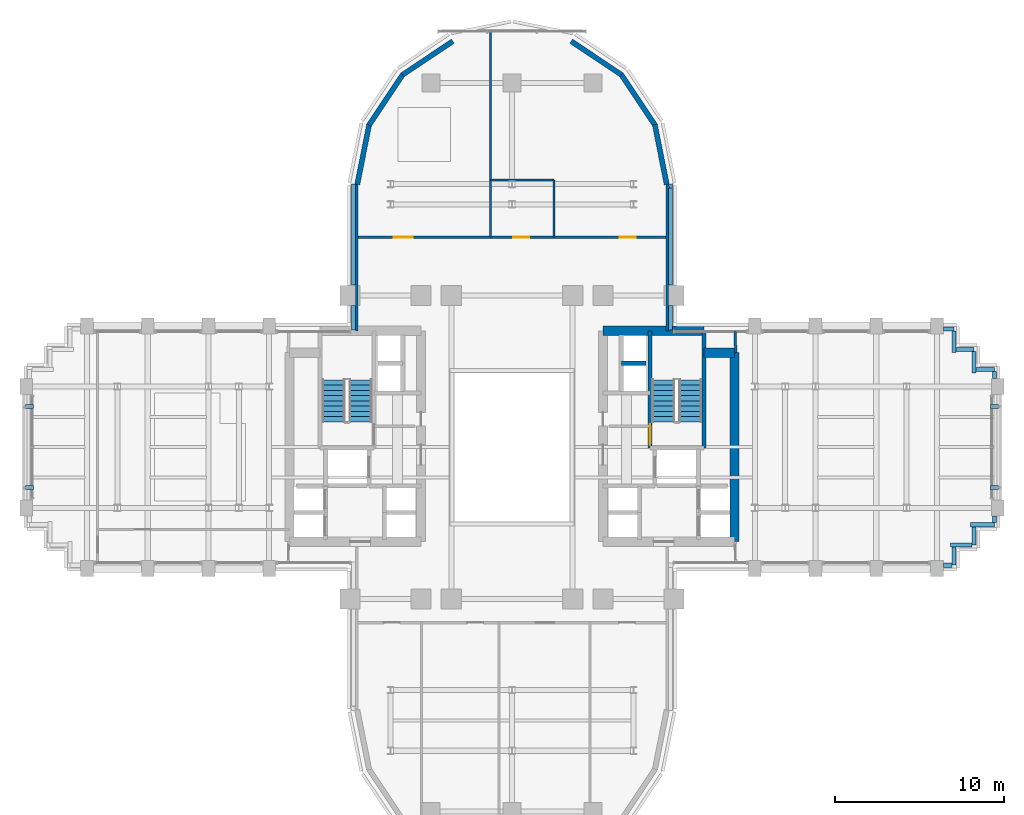
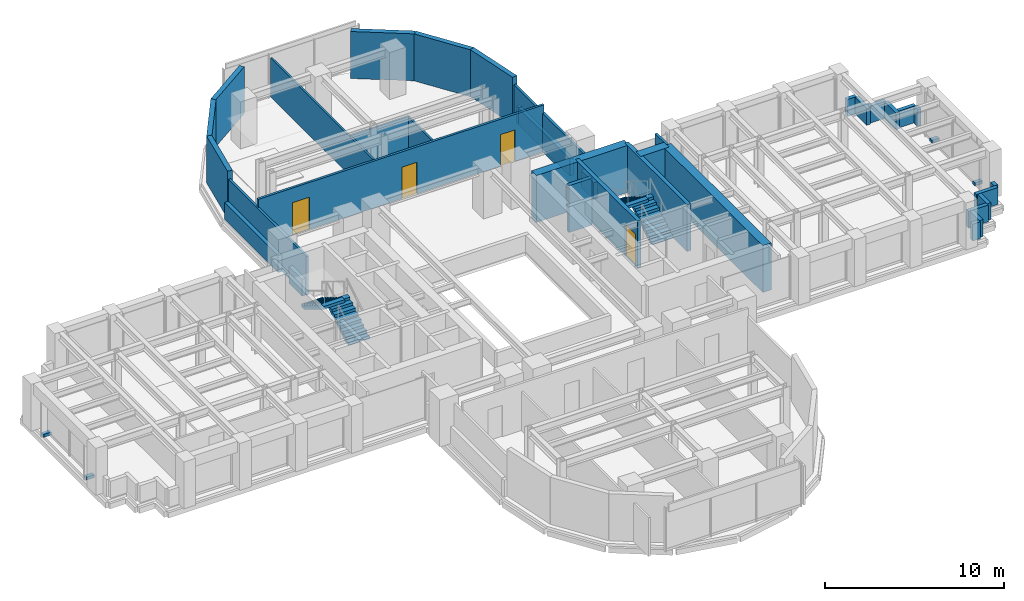
# One storey, part 12 of 16: 36 walls, 4 discrete accessories, 4 doors, 4 stair flights, 4 openings, 2 elements without a shape of their own.
"""IFC4 building model written with IfcOpenShell, lengths in metres."""

from ifc_helpers import new_model, si_unit, direction, frame, frame_2d, origin, origin_2d, place, context, subcontext, project, spatial, polyline, rectangle, outline, extrude, source, transform, mapped, material, layer, layer_set, type_object, element, fill, aggregate, save


model = new_model("IFC4")

# Units and contexts
model_context = context("Model", 3, precision=1e-05, world=origin(), true_north=direction((0.0, 1.0)))
body_context = subcontext(model_context, "Body", "Model", "MODEL_VIEW")
ifc_project = project(units=[si_unit("LENGTHUNIT", "METRE"), si_unit("AREAUNIT", "SQUARE_METRE"), si_unit("VOLUMEUNIT", "CUBIC_METRE"), si_unit("PLANEANGLEUNIT", "RADIAN"), si_unit("MASSUNIT", "GRAM", prefix="KILO")], contexts=[model_context])

# Site, building, storey
site_placement = place(None, origin())
site = spatial("IfcSite", under=ifc_project, at=site_placement, CompositionType="ELEMENT")
building_placement = place(site_placement, origin())
building = spatial("IfcBuilding", under=site, at=building_placement, Name="Keilestroom Media Tower", CompositionType="ELEMENT")
storey_placement = place(building_placement, frame((0.0, 0.0, 71.39990234375)))
storey = spatial("IfcBuildingStorey", under=building, at=storey_placement, Name="L18", CompositionType="ELEMENT", Elevation=71.39990234375)

# Walls
ifc_material_1 = material(Name="Precast concrete C40/50", Category="concrete")
ifc_layer_1 = layer(ifc_material_1, 0.300048828125)
ifc_layer_set_1 = layer_set([ifc_layer_1], Name="Precast concrete C40/50")
wall_type_1 = type_object("IfcWallType", Name="Exterior-Masonry-Spandrel-Wall-300", PredefinedType="SOLIDWALL", material=ifc_layer_set_1)
for number, where, z_axis, x_axis, name in (
    (1, (9.1748046875, 15.585205078125, 0.0), (0.0, 0.0, 1.0), (-0.195114232679, 0.980780523974, 0.0), "L18 Lobe Facet Precast Frame Wall 01"),
    (2, (8.48193359375, 19.097412109375, 0.0), (0.0, 0.0, 1.0), (-0.555574187116, 0.831466970246, 0.0), "L18 Lobe Facet Precast Frame Wall 02"),
):
    element("IfcWall", number, at=place(storey_placement, frame(where, z_axis=z_axis, x_axis=x_axis)), inside=storey, type_object=wall_type_1, Name=name, PredefinedType="SOLIDWALL", context=body_context, shape_type="SweptSolid", body=[
        extrude(rectangle(XDim=3.608642578125, YDim=0.300048828125, at=frame_2d((1.80419921875, 0.0))), origin(), (0.0, 0.0, 1.0), 3.2001953125),
    ])
for number, where, z_axis, x_axis, name in (
    (3, (6.497802734375, 22.0771484375, 0.0), (0.0, 0.0, 1.0), (-0.8314749531, 0.555562239868, 0.0), "L18 Lobe Facet Precast Frame Wall 03"),
    (4, (-3.510009765625, 24.073486328125, 0.0), (0.0, 0.0, 1.0), (-0.8314749531, -0.555562239868, 0.0), "L18 Lobe Facet Precast Frame Wall 04"),
):
    element("IfcWall", number, at=place(storey_placement, frame(where, z_axis=z_axis, x_axis=x_axis)), inside=storey, type_object=wall_type_1, Name=name, PredefinedType="SOLIDWALL", context=body_context, shape_type="SweptSolid", body=[
        extrude(rectangle(XDim=3.59326171875, YDim=0.300048828125, at=frame_2d((1.796630859375, 0.0))), origin(), (0.0, 0.0, 1.0), 3.2001953125),
    ])
for number, where, z_axis, x_axis, name in (
    (5, (-6.47705078125, 22.097900390625, 0.0), (0.0, 0.0, 1.0), (-0.555574187116, -0.831466970246, 0.0), "L18 Lobe Facet Precast Frame Wall 05"),
    (6, (-8.470703125, 19.12451171875, 0.0), (0.0, 0.0, 1.0), (-0.195114232679, -0.980780523974, 0.0), "L18 Lobe Facet Precast Frame Wall 06"),
):
    element("IfcWall", number, at=place(storey_placement, frame(where, z_axis=z_axis, x_axis=x_axis)), inside=storey, type_object=wall_type_1, Name=name, PredefinedType="SOLIDWALL", context=body_context, shape_type="SweptSolid", body=[
        extrude(rectangle(XDim=3.608642578125, YDim=0.300048828125, at=frame_2d((1.80419921875, 0.0))), origin(), (0.0, 0.0, 1.0), 3.2001953125),
    ])
ifc_material_2 = material(Name="Gypsum Plasterboard & Steel Stud", Category="steel")
ifc_layer_2 = layer(ifc_material_2, 0.1201171875)
ifc_layer_set_2 = layer_set([ifc_layer_2], Name="Gypsum Plasterboard & Steel Stud")
wall_type_2 = type_object("IfcWallType", Name="Interior-Partition-Wall-120", PredefinedType="PARTITIONING", material=ifc_layer_set_2)
wall_1_placement = place(storey_placement, frame((-1.280029296875, 12.449951171875, 0.0), z_axis=(0.0, 0.0, 1.0), x_axis=(0.0, 1.0, 0.0)))
element("IfcWall", 7, at=wall_1_placement, inside=storey, type_object=wall_type_2, Name="L18 Interior Wall WP-L18-NL-V1", PredefinedType="PARTITIONING", context=body_context, shape_type="SweptSolid", body=[
    extrude(rectangle(XDim=12.199951171875, YDim=0.1201171875, at=frame_2d((6.10009765625, 0.0))), origin(), (0.0, 0.0, 1.0), 2.650146484375),
])
wall_2_placement = place(storey_placement, frame((-1.280029296875, 15.85009765625, 0.0), z_axis=(0.0, 0.0, 1.0), x_axis=(1.0, 0.0, 0.0)))
element("IfcWall", 8, at=wall_2_placement, inside=storey, type_object=wall_type_2, Name="L18 Interior Wall WP-L18-NL-WC-N", PredefinedType="PARTITIONING", context=body_context, shape_type="SweptSolid", body=[
    extrude(rectangle(XDim=3.780029296875, YDim=0.1201171875, at=frame_2d((1.89013671875, 0.0))), origin(), (0.0, 0.0, 1.0), 2.7001953125),
])
wall_3_placement = place(storey_placement, frame((2.5, 12.449951171875, 0.0), z_axis=(0.0, 0.0, 1.0), x_axis=(0.0, 1.0, 0.0)))
element("IfcWall", 9, at=wall_3_placement, inside=storey, type_object=wall_type_2, Name="L18 Interior Wall WP-L18-NL-WC-E", PredefinedType="PARTITIONING", context=body_context, shape_type="SweptSolid", body=[
    extrude(rectangle(XDim=3.400146484375, YDim=0.1201171875, at=frame_2d((1.7001953125, 0.0))), origin(), (0.0, 0.0, 1.0), 2.650146484375),
])

# Wall, openings, doors
ifc_layer_3 = layer(ifc_material_2, 0.14990234375)
ifc_layer_set_3 = layer_set([ifc_layer_3], Name="Gypsum Plasterboard & Steel Stud")
wall_type_3 = type_object("IfcWallType", Name="Interior-Partition-Wall-150", PredefinedType="PARTITIONING", material=ifc_layer_set_3)
wall_4_placement = place(storey_placement, frame((-9.199951171875, 12.449951171875, 0.0), z_axis=(0.0, 0.0, 1.0), x_axis=(1.0, 0.0, 0.0)))
wall_4 = element("IfcWall", 10, at=wall_4_placement, inside=storey, type_object=wall_type_3, Name="L18 Interior Wall WP-L18-NL-BASE", PredefinedType="PARTITIONING", context=body_context, shape_type="SweptSolid", body=[
    extrude(rectangle(XDim=18.39990234375, YDim=0.14990234375, at=frame_2d((9.199951171875, 0.0))), origin(), (0.0, 0.0, 1.0), 3.2001953125),
])
opening_1_placement = place(wall_4_placement, frame((9.27001953125, 0.0, 0.0)))
opening_1 = element("IfcOpeningElement", 11, at=opening_1_placement, cuts=wall_4, Name="Opening DI-03", PredefinedType="OPENING", context=body_context, shape_type="SweptSolid", body=[
    extrude(rectangle(XDim=0.949951171875, YDim=2.14990234375, at=frame_2d((0.47509765625, 1.074951171875))), frame((0.0, 0.0849609375, 0.0), z_axis=(0.0, -1.0, 0.0), x_axis=(1.0, 0.0, 0.0)), (0.0, 0.0, 1.0), 0.169921875),
])
opening_2_placement = place(wall_4_placement, frame((2.199951171875, 0.0, 0.0)))
opening_2 = element("IfcOpeningElement", 12, at=opening_2_placement, cuts=wall_4, Name="Opening DI-04", PredefinedType="OPENING", context=body_context, shape_type="SweptSolid", body=[
    extrude(rectangle(XDim=1.10009765625, YDim=2.199951171875, at=frame_2d((0.550048828125, 1.10009765625))), frame((0.0, 0.0849609375, 0.0), z_axis=(0.0, -1.0, 0.0), x_axis=(1.0, 0.0, 0.0)), (0.0, 0.0, 1.0), 0.169921875),
])
opening_3_placement = place(wall_4_placement, frame((15.60009765625, 0.0, 0.0)))
opening_3 = element("IfcOpeningElement", 13, at=opening_3_placement, cuts=wall_4, Name="Opening DI-03", PredefinedType="OPENING", context=body_context, shape_type="SweptSolid", body=[
    extrude(rectangle(XDim=0.949951171875, YDim=2.14990234375, at=frame_2d((0.47509765625, 1.074951171875))), frame((0.0, 0.0849609375, 0.0), z_axis=(0.0, -1.0, 0.0), x_axis=(1.0, 0.0, 0.0)), (0.0, 0.0, 1.0), 0.169921875),
])
ifc_material_3 = material(Name="Lacquered European Oak Leaf", Category="wood")
door_type_1 = type_object("IfcDoorType", Name="Interior-Room-And-Suite-Door-DI-03", OperationType="NOTDEFINED", PredefinedType="DOOR", material=ifc_material_3)
shared_shape_1 = source(origin(), body_context, "Body", "SweptSolid", [
    extrude(rectangle(XDim=0.949951171875, YDim=2.14990234375, at=frame_2d((0.47509765625, 1.074951171875))), frame((0.0, 0.02490234375, 0.0), z_axis=(0.0, -1.0, 0.0), x_axis=(1.0, 0.0, 0.0)), (0.0, 0.0, 1.0), 0.050048828125),
])
door_1_placement = place(opening_1_placement, origin())
door_1 = element("IfcDoor", 14, at=door_1_placement, inside=storey, type_object=door_type_1, Name="L18 Interior Door DI-L18-DNL-WC", OperationType="SINGLE_SWING_LEFT", OverallHeight=2.14990234375, OverallWidth=0.949951171875, PredefinedType="DOOR", context=body_context, shape_type="MappedRepresentation", body=[
    mapped(shared_shape_1, transform((0.0, 0.0, 0.0), x_axis=(1.0, 0.0, 0.0), y_axis=(0.0, 1.0, 0.0), z_axis=(0.0, 0.0, 1.0), scale=1.0)),
])
fill(opening_1, door_1)
door_2_placement = place(opening_3_placement, origin())
door_2 = element("IfcDoor", 15, at=door_2_placement, inside=storey, type_object=door_type_1, Name="L18 Interior Door DI-L18-DNL-B", OperationType="SINGLE_SWING_LEFT", OverallHeight=2.14990234375, OverallWidth=0.949951171875, PredefinedType="DOOR", context=body_context, shape_type="MappedRepresentation", body=[
    mapped(shared_shape_1, transform((0.0, 0.0, 0.0), x_axis=(1.0, 0.0, 0.0), y_axis=(0.0, 1.0, 0.0), z_axis=(0.0, 0.0, 1.0), scale=1.0)),
])
fill(opening_3, door_2)
ifc_material_4 = material(Name="Acoustic Glazed Aluminium Leaf", Category="aluminium")
door_type_2 = type_object("IfcDoorType", Name="Interior-Room-And-Suite-Door-DI-04", OperationType="NOTDEFINED", PredefinedType="DOOR", material=ifc_material_4)
shared_shape_2 = source(origin(), body_context, "Body", "SweptSolid", [
    extrude(rectangle(XDim=1.10009765625, YDim=2.199951171875, at=frame_2d((0.550048828125, 1.10009765625))), frame((0.0, 0.02490234375, 0.0), z_axis=(0.0, -1.0, 0.0), x_axis=(1.0, 0.0, 0.0)), (0.0, 0.0, 1.0), 0.050048828125),
])
door_3_placement = place(opening_2_placement, origin())
door_3 = element("IfcDoor", 16, at=door_3_placement, inside=storey, type_object=door_type_2, Name="L18 Interior Door DI-L18-DNL-A", OperationType="SINGLE_SWING_RIGHT", OverallHeight=2.199951171875, OverallWidth=1.10009765625, PredefinedType="DOOR", context=body_context, shape_type="MappedRepresentation", body=[
    mapped(shared_shape_2, transform((0.0, 0.0, 0.0), x_axis=(1.0, 0.0, 0.0), y_axis=(0.0, 1.0, 0.0), z_axis=(0.0, 0.0, 1.0), scale=1.0)),
])
fill(opening_2, door_3)

# Walls
for number, where, z_axis, x_axis, name in (
    (17, (-9.199951171875, 6.89990234375, 0.0), (0.0, 0.0, 1.0), (0.0, 1.0, 0.0), "L18 Interior Wall WP-L18-NL-CHKW"),
    (18, (9.199951171875, 6.89990234375, 0.0), (0.0, 0.0, 1.0), (0.0, 1.0, 0.0), "L18 Interior Wall WP-L18-NL-CHKE"),
):
    element("IfcWall", number, at=place(storey_placement, frame(where, z_axis=z_axis, x_axis=x_axis)), inside=storey, type_object=wall_type_3, Name=name, PredefinedType="PARTITIONING", context=body_context, shape_type="SweptSolid", body=[
        extrude(rectangle(XDim=8.780029296875, YDim=0.14990234375, at=frame_2d((4.39013671875, 0.0))), origin(), (0.0, 0.0, 1.0), 2.650146484375),
    ])
wall_5_placement = place(storey_placement, frame((13.260009765625, 5.60009765625, 0.0), z_axis=(0.0, 0.0, 1.0), x_axis=(-0.016013571389, 0.999871774545, 0.0)))
element("IfcWall", 19, at=wall_5_placement, inside=storey, type_object=wall_type_3, Name="L18 Interior Wall WP-L18-EA-ENTN", PredefinedType="PARTITIONING", context=body_context, shape_type="SweptSolid", body=[
    extrude(rectangle(XDim=1.250244140625, YDim=0.14990234375, at=frame_2d((0.625, 0.0))), origin(), (0.0, 0.0, 1.0), 3.2001953125),
])
ifc_material_5 = material(Name="Concrete C70/85", Category="concrete")
ifc_layer_4 = layer(ifc_material_5, 0.550048828125)
ifc_layer_set_4 = layer_set([ifc_layer_4], Name="Concrete C70/85")
wall_type_4 = type_object("IfcWallType", Name="Reinforced-Concrete-Core-Shear-Wall-550", PredefinedType="SHEAR", material=ifc_layer_set_4)
wall_6_placement = place(storey_placement, frame((13.199951171875, -5.60009765625, 0.0), z_axis=(0.0, 0.0, 1.0), x_axis=(0.0, 1.0, 0.0)))
element("IfcWall", 20, at=wall_6_placement, inside=storey, type_object=wall_type_4, Name="L18 Core Shear Wall WL-L18-CORE-E-OUT", PredefinedType="SHEAR", context=body_context, shape_type="SweptSolid", body=[
    extrude(rectangle(XDim=11.2001953125, YDim=0.550048828125, at=frame_2d((5.60009765625, 0.0))), origin(), (0.0, 0.0, 1.0), 3.2001953125),
])
wall_7_placement = place(storey_placement, frame((5.39990234375, 6.89990234375, 0.0), z_axis=(0.0, 0.0, 1.0), x_axis=(1.0, 0.0, 0.0)))
element("IfcWall", 21, at=wall_7_placement, inside=storey, type_object=wall_type_4, Name="L18 Core Shear Wall WL-L18-CORE-E-N", PredefinedType="SHEAR", context=body_context, shape_type="SweptSolid", body=[
    extrude(rectangle(XDim=5.981201171875, YDim=0.550048828125, at=frame_2d((2.99072265625, 0.0))), origin(), (0.0, 0.0, 1.0), 3.2001953125),
])
wall_8_placement = place(storey_placement, frame((11.381103515625, 5.60009765625, 0.0), z_axis=(0.0, 0.0, 1.0), x_axis=(1.0, 0.0, 0.0)))
element("IfcWall", 22, at=wall_8_placement, inside=storey, type_object=wall_type_4, Name="L18 Core Shear Wall WL-L18-CNE-N", PredefinedType="SHEAR", context=body_context, shape_type="SweptSolid", body=[
    extrude(rectangle(XDim=1.81884765625, YDim=0.550048828125, at=frame_2d((0.909423828125, 0.0))), origin(), (0.0, 0.0, 1.0), 3.2001953125),
])

# Wall, opening, door
ifc_material_6 = material(Name="Concrete C50/60", Category="concrete")
ifc_layer_5 = layer(ifc_material_6, 0.25)
ifc_layer_set_5 = layer_set([ifc_layer_5], Name="Concrete C50/60")
wall_type_5 = type_object("IfcWallType", Name="Reinforced-Concrete-Shaft-Wall-250", PredefinedType="SOLIDWALL", material=ifc_layer_set_5)
wall_9_placement = place(storey_placement, frame((8.178955078125, -0.041015625, 0.0), z_axis=(0.0, 0.0, 1.0), x_axis=(0.0, 1.0, 0.0)))
wall_9 = element("IfcWall", 23, at=wall_9_placement, inside=storey, type_object=wall_type_5, Name="L18 Core Shear Wall WL-L18-STW-E-NEAR", PredefinedType="SOLIDWALL", context=body_context, shape_type="SweptSolid", body=[
    extrude(rectangle(XDim=6.94091796875, YDim=0.25, at=frame_2d((3.470458984375, 0.0))), origin(), (0.0, 0.0, 1.0), 3.2001953125),
])
opening_4_placement = place(wall_9_placement, frame((0.199951171875, 0.0, 0.0)))
opening_4 = element("IfcOpeningElement", 24, at=opening_4_placement, cuts=wall_9, Name="Opening DI-01S", PredefinedType="OPENING", context=body_context, shape_type="SweptSolid", body=[
    extrude(rectangle(XDim=1.199951171875, YDim=2.199951171875, at=frame_2d((0.60009765625, 1.10009765625))), frame((0.0, 0.135009765625, 0.0), z_axis=(0.0, -1.0, 0.0), x_axis=(1.0, 0.0, 0.0)), (0.0, 0.0, 1.0), 0.27001953125),
])
ifc_material_7 = material(Name="Powder-Coated Steel Fire Leaf", Category="steel")
door_type_3 = type_object("IfcDoorType", Name="Interior-Stair-And-Core-Fire-Door-DI-01", OperationType="NOTDEFINED", PredefinedType="DOOR", material=ifc_material_7)
shared_shape_3 = source(origin(), body_context, "Body", "SweptSolid", [
    extrude(rectangle(XDim=1.199951171875, YDim=2.199951171875, at=frame_2d((0.60009765625, 1.10009765625))), frame((0.0, 0.02490234375, 0.0), z_axis=(0.0, -1.0, 0.0), x_axis=(1.0, 0.0, 0.0)), (0.0, 0.0, 1.0), 0.050048828125),
])
door_4_placement = place(opening_4_placement, origin())
door_4 = element("IfcDoor", 25, at=door_4_placement, inside=storey, type_object=door_type_3, Name="L18 Escape Stair ST-2 Fire Door", OperationType="SINGLE_SWING_RIGHT", OverallHeight=2.199951171875, OverallWidth=1.199951171875, PredefinedType="DOOR", context=body_context, shape_type="MappedRepresentation", body=[
    mapped(shared_shape_3, transform((0.0, 0.0, 0.0), x_axis=(1.0, 0.0, 0.0), y_axis=(0.0, 1.0, 0.0), z_axis=(0.0, 0.0, 1.0), scale=1.0)),
])
fill(opening_4, door_4)

# Walls
wall_10_placement = place(storey_placement, frame((11.381103515625, -0.041015625, 0.0), z_axis=(0.0, 0.0, 1.0), x_axis=(0.0, 1.0, 0.0)))
element("IfcWall", 26, at=wall_10_placement, inside=storey, type_object=wall_type_5, Name="L18 Core Shear Wall WL-L18-STW-E-FAR", PredefinedType="SOLIDWALL", context=body_context, shape_type="SweptSolid", body=[
    extrude(rectangle(XDim=6.94091796875, YDim=0.25, at=frame_2d((3.470458984375, 0.0))), origin(), (0.0, 0.0, 1.0), 3.2001953125),
])
wall_11_placement = place(storey_placement, frame((6.47998046875, 4.97998046875, 0.0), z_axis=(0.0, 0.0, 1.0), x_axis=(1.0, 0.0, 0.0)))
element("IfcWall", 27, at=wall_11_placement, inside=storey, type_object=wall_type_5, Name="L18 Core Shear Wall WL-L18-LSH-PL-H3-N", PredefinedType="SOLIDWALL", context=body_context, shape_type="SweptSolid", body=[
    extrude(rectangle(XDim=1.469970703125, YDim=0.25, at=frame_2d((0.73486328125, 0.0))), origin(), (0.0, 0.0, 1.0), 3.2001953125),
])
ifc_layer_6 = layer(ifc_material_1, 0.239990234375)
ifc_layer_set_6 = layer_set([ifc_layer_6], Name="Precast concrete C40/50")
wall_type_6 = type_object("IfcWallType", Name="Roof-And-Terrace-Parapet-Wall-240", PredefinedType="PARAPET", material=ifc_layer_set_6)
wall_12_placement = place(storey_placement, frame((28.60009765625, -4.60009765625, 0.0), z_axis=(0.0, 0.0, 1.0), x_axis=(-1.0, 0.0, 0.0)))
element("IfcWall", 28, at=wall_12_placement, inside=storey, type_object=wall_type_6, Name="L18 Perimeter Edge Parapet Wall 01", PredefinedType="PARAPET", context=body_context, shape_type="SweptSolid", body=[
    extrude(rectangle(XDim=1.400146484375, YDim=0.239990234375, at=frame_2d((0.7001953125, 0.0))), origin(), (0.0, 0.0, 1.0), 1.150146484375),
])
wall_13_placement = place(storey_placement, frame((27.39990234375, -4.722900390625, 0.0), z_axis=(0.0, 0.0, 1.0), x_axis=(0.0, -1.0, 0.0)))
element("IfcWall", 29, at=wall_13_placement, inside=storey, type_object=wall_type_6, Name="L18 Perimeter Edge Parapet Wall 02", PredefinedType="PARAPET", context=body_context, shape_type="SweptSolid", body=[
    extrude(rectangle(XDim=1.0771484375, YDim=0.239990234375, at=frame_2d((0.53857421875, 0.0))), origin(), (0.0, 0.0, 1.0), 1.150146484375),
])
wall_14_placement = place(storey_placement, frame((27.277099609375, -5.800048828125, 0.0), z_axis=(0.0, 0.0, 1.0), x_axis=(-1.0, 0.0, 0.0)))
element("IfcWall", 30, at=wall_14_placement, inside=storey, type_object=wall_type_6, Name="L18 Perimeter Edge Parapet Wall 03", PredefinedType="PARAPET", context=body_context, shape_type="SweptSolid", body=[
    extrude(rectangle(XDim=1.277099609375, YDim=0.239990234375, at=frame_2d((0.638671875, 0.0))), origin(), (0.0, 0.0, 1.0), 1.150146484375),
])
wall_15_placement = place(storey_placement, frame((26.199951171875, -5.923095703125, 0.0), z_axis=(0.0, 0.0, 1.0), x_axis=(0.0, -1.0, 0.0)))
element("IfcWall", 31, at=wall_15_placement, inside=storey, type_object=wall_type_6, Name="L18 Perimeter Edge Parapet Wall 04", PredefinedType="PARAPET", context=body_context, shape_type="SweptSolid", body=[
    extrude(rectangle(XDim=1.076904296875, YDim=0.239990234375, at=frame_2d((0.53857421875, 0.0))), origin(), (0.0, 0.0, 1.0), 1.150146484375),
])
wall_16_placement = place(storey_placement, frame((26.076904296875, -7.0, 0.0), z_axis=(0.0, 0.0, 1.0), x_axis=(-1.0, 0.0, 0.0)))
element("IfcWall", 32, at=wall_16_placement, inside=storey, type_object=wall_type_6, Name="L18 Perimeter Edge Parapet Wall 05", PredefinedType="PARAPET", context=body_context, shape_type="SweptSolid", body=[
    extrude(rectangle(XDim=0.4990234375, YDim=0.239990234375, at=frame_2d((0.24951171875, 0.0))), origin(), (0.0, 0.0, 1.0), 1.150146484375),
])
wall_17_placement = place(storey_placement, frame((-9.39990234375, 6.952880859375, 0.0), z_axis=(0.0, 0.0, 1.0), x_axis=(0.0, 1.0, 0.0)))
element("IfcWall", 33, at=wall_17_placement, inside=storey, type_object=wall_type_6, Name="L18 Perimeter Edge Parapet Wall 24", PredefinedType="PARAPET", context=body_context, shape_type="SweptSolid", body=[
    extrude(rectangle(XDim=1.444091796875, YDim=0.239990234375, at=frame_2d((0.72216796875, 0.0))), origin(), (0.0, 0.0, 1.0), 1.150146484375),
])
wall_18_placement = place(storey_placement, frame((-9.39990234375, 9.60302734375, 0.0), z_axis=(0.0, 0.0, 1.0), x_axis=(0.0, 1.0, 0.0)))
element("IfcWall", 34, at=wall_18_placement, inside=storey, type_object=wall_type_6, Name="L18 Perimeter Edge Parapet Wall 25", PredefinedType="PARAPET", context=body_context, shape_type="SweptSolid", body=[
    extrude(rectangle(XDim=5.999755859375, YDim=0.239990234375, at=frame_2d((3.0, 0.0))), origin(), (0.0, 0.0, 1.0), 1.150146484375),
])
wall_19_placement = place(storey_placement, frame((9.395263671875, 15.604248046875, 0.0), z_axis=(0.0, 0.0, 1.0), x_axis=(0.194652052864, -0.980872355771, 0.0)))
element("IfcWall", 35, at=wall_19_placement, inside=storey, type_object=wall_type_6, Name="L18 Perimeter Edge Parapet Wall 26", PredefinedType="PARAPET", context=body_context, shape_type="SweptSolid", body=[
    extrude(rectangle(XDim=0.224609375, YDim=0.239990234375, at=frame_2d((0.1123046875, 0.0))), origin(), (0.0, 0.0, 1.0), 1.150146484375),
])
wall_20_placement = place(storey_placement, frame((9.39990234375, 15.357666015625, 0.0), z_axis=(0.0, 0.0, 1.0), x_axis=(0.0, -1.0, 0.0)))
element("IfcWall", 36, at=wall_20_placement, inside=storey, type_object=wall_type_6, Name="L18 Perimeter Edge Parapet Wall 27", PredefinedType="PARAPET", context=body_context, shape_type="SweptSolid", body=[
    extrude(rectangle(XDim=5.754638671875, YDim=0.239990234375, at=frame_2d((2.87744140625, 0.0))), origin(), (0.0, 0.0, 1.0), 1.150146484375),
])
wall_21_placement = place(storey_placement, frame((9.39990234375, 8.39697265625, 0.0), z_axis=(0.0, 0.0, 1.0), x_axis=(0.0, -1.0, 0.0)))
element("IfcWall", 37, at=wall_21_placement, inside=storey, type_object=wall_type_6, Name="L18 Perimeter Edge Parapet Wall 28", PredefinedType="PARAPET", context=body_context, shape_type="SweptSolid", body=[
    extrude(rectangle(XDim=1.444091796875, YDim=0.239990234375, at=frame_2d((0.72216796875, 0.0))), origin(), (0.0, 0.0, 1.0), 1.150146484375),
])
wall_22_placement = place(storey_placement, frame((25.577880859375, 7.0, 0.0), z_axis=(0.0, 0.0, 1.0), x_axis=(1.0, 0.0, 0.0)))
element("IfcWall", 38, at=wall_22_placement, inside=storey, type_object=wall_type_6, Name="L18 Perimeter Edge Parapet Wall 29", PredefinedType="PARAPET", context=body_context, shape_type="SweptSolid", body=[
    extrude(rectangle(XDim=0.6220703125, YDim=0.239990234375, at=frame_2d((0.31103515625, 0.0))), origin(), (0.0, 0.0, 1.0), 1.150146484375),
])
wall_23_placement = place(storey_placement, frame((26.199951171875, 6.876953125, 0.0), z_axis=(0.0, 0.0, 1.0), x_axis=(0.0, -1.0, 0.0)))
element("IfcWall", 39, at=wall_23_placement, inside=storey, type_object=wall_type_6, Name="L18 Perimeter Edge Parapet Wall 30", PredefinedType="PARAPET", context=body_context, shape_type="SweptSolid", body=[
    extrude(rectangle(XDim=1.27685546875, YDim=0.239990234375, at=frame_2d((0.638427734375, 0.0))), origin(), (0.0, 0.0, 1.0), 1.150146484375),
])
wall_24_placement = place(storey_placement, frame((26.322998046875, 5.800048828125, 0.0), z_axis=(0.0, 0.0, 1.0), x_axis=(1.0, 0.0, 0.0)))
element("IfcWall", 40, at=wall_24_placement, inside=storey, type_object=wall_type_6, Name="L18 Perimeter Edge Parapet Wall 31", PredefinedType="PARAPET", context=body_context, shape_type="SweptSolid", body=[
    extrude(rectangle(XDim=1.076904296875, YDim=0.239990234375, at=frame_2d((0.53857421875, 0.0))), origin(), (0.0, 0.0, 1.0), 1.150146484375),
])
wall_25_placement = place(storey_placement, frame((27.39990234375, 5.677001953125, 0.0), z_axis=(0.0, 0.0, 1.0), x_axis=(0.0, -1.0, 0.0)))
element("IfcWall", 41, at=wall_25_placement, inside=storey, type_object=wall_type_6, Name="L18 Perimeter Edge Parapet Wall 32", PredefinedType="PARAPET", context=body_context, shape_type="SweptSolid", body=[
    extrude(rectangle(XDim=1.277099609375, YDim=0.239990234375, at=frame_2d((0.638671875, 0.0))), origin(), (0.0, 0.0, 1.0), 1.150146484375),
])
wall_26_placement = place(storey_placement, frame((27.52294921875, 4.60009765625, 0.0), z_axis=(0.0, 0.0, 1.0), x_axis=(1.0, 0.0, 0.0)))
element("IfcWall", 42, at=wall_26_placement, inside=storey, type_object=wall_type_6, Name="L18 Perimeter Edge Parapet Wall 33", PredefinedType="PARAPET", context=body_context, shape_type="SweptSolid", body=[
    extrude(rectangle(XDim=1.0771484375, YDim=0.239990234375, at=frame_2d((0.53857421875, 0.0))), origin(), (0.0, 0.0, 1.0), 1.150146484375),
])
for number, where, z_axis, x_axis, name in (
    (43, (28.60009765625, 4.47705078125, 0.0), (0.0, 0.0, 1.0), (0.0, -1.0, 0.0), "L18 Perimeter Edge Parapet Wall 34"),
    (44, (28.60009765625, -4.077880859375, 0.0), (0.0, 0.0, 1.0), (0.0, -1.0, 0.0), "L18 Perimeter Edge Parapet Wall 35"),
):
    element("IfcWall", number, at=place(storey_placement, frame(where, z_axis=z_axis, x_axis=x_axis)), inside=storey, type_object=wall_type_6, Name=name, PredefinedType="PARAPET", context=body_context, shape_type="SweptSolid", body=[
        extrude(rectangle(XDim=0.399169921875, YDim=0.239990234375, at=frame_2d((0.19970703125, 0.0))), origin(), (0.0, 0.0, 1.0), 1.150146484375),
    ])

# Stair, stair flights
ifc_material_8 = material(Name="Concrete C45/55", Category="concrete")
stair_type = type_object("IfcStairType", Name="Enclosed-Dog-Leg-Stair-ST-CORE", PredefinedType="HALF_TURN_STAIR", material=ifc_material_8)
stair_1_placement = place(storey_placement, origin())
stair_1 = element("IfcStair", 45, at=stair_1_placement, inside=storey, type_object=stair_type, Name="L18 West Core Escape Stair ST-1", PredefinedType="HALF_TURN_STAIR")
stair_flight_type = type_object("IfcStairFlightType", Name="Precast-Concrete-Stair-Flight-Core-160", PredefinedType="STRAIGHT", material=ifc_material_1)
stair_flight_1_placement = place(storey_placement, frame((-8.97998046875, 1.5, 0.0), z_axis=(0.0, 0.0, 1.0), x_axis=(0.0, 1.0, 0.0)))
stair_flight_1 = element("IfcStairFlight", 46, at=stair_flight_1_placement, type_object=stair_flight_type, Name="ST-1 flight 1", NumberOfRisers=9, NumberOfTreads=8, PredefinedType="STRAIGHT", RiserHeight=0.188888889, TreadLength=0.312, context=body_context, shape_type="SweptSolid", body=[
    extrude(outline(polyline([(0.0, 0.0), (0.0, 0.18896484375), (0.31201171875, 0.18896484375), (0.31201171875, 0.377685546875), (0.6240234375, 0.377685546875), (0.6240234375, 0.566650390625), (0.93603515625, 0.566650390625), (0.93603515625, 0.755615234375), (1.248046875, 0.755615234375), (1.248046875, 0.9443359375), (1.56005859375, 0.9443359375), (1.56005859375, 1.13330078125), (1.8720703125, 1.13330078125), (1.8720703125, 1.322265625), (2.18408203125, 1.322265625), (2.18408203125, 1.51123046875), (2.49609375, 1.51123046875), (2.49609375, 1.699951171875), (2.49609375, 1.32421875), (0.308837890625, 0.0), (0.0, 0.0)])), frame((0.0, 0.68017578125, 0.0), z_axis=(0.0, -1.0, 0.0), x_axis=(1.0, 0.0, 0.0)), (0.0, 0.0, 1.0), 1.360107421875),
])
stair_flight_2_placement = place(storey_placement, frame((-10.580078125, 3.99609375, 1.7001953125), z_axis=(0.0, 0.0, 1.0), x_axis=(0.0, -1.0, 0.0)))
stair_flight_2 = element("IfcStairFlight", 47, at=stair_flight_2_placement, type_object=stair_flight_type, Name="ST-1 flight 2", NumberOfRisers=9, NumberOfTreads=8, PredefinedType="STRAIGHT", RiserHeight=0.188888889, TreadLength=0.312, context=body_context, shape_type="SweptSolid", body=[
    extrude(outline(polyline([(0.0, 0.0), (0.0, 0.18896484375), (0.31201171875, 0.18896484375), (0.31201171875, 0.377685546875), (0.6240234375, 0.377685546875), (0.6240234375, 0.566650390625), (0.93603515625, 0.566650390625), (0.93603515625, 0.755615234375), (1.248046875, 0.755615234375), (1.248046875, 0.9443359375), (1.56005859375, 0.9443359375), (1.56005859375, 1.13330078125), (1.8720703125, 1.13330078125), (1.8720703125, 1.322265625), (2.18408203125, 1.322265625), (2.18408203125, 1.51123046875), (2.49609375, 1.51123046875), (2.49609375, 1.699951171875), (2.49609375, 1.32421875), (0.308837890625, 0.0), (0.0, 0.0)])), frame((0.0, 0.68017578125, 0.0), z_axis=(0.0, -1.0, 0.0), x_axis=(1.0, 0.0, 0.0)), (0.0, 0.0, 1.0), 1.360107421875),
])
aggregate(stair_1, [stair_flight_1, stair_flight_2])

stair_2_placement = place(storey_placement, origin())
stair_2 = element("IfcStair", 48, at=stair_2_placement, inside=storey, type_object=stair_type, Name="L18 East Core Escape Stair ST-2", PredefinedType="HALF_TURN_STAIR")
stair_flight_3_placement = place(storey_placement, frame((10.580078125, 1.5, 0.0), z_axis=(0.0, 0.0, 1.0), x_axis=(0.0, 1.0, 0.0)))
stair_flight_3 = element("IfcStairFlight", 49, at=stair_flight_3_placement, type_object=stair_flight_type, Name="ST-2 flight 1", NumberOfRisers=9, NumberOfTreads=8, PredefinedType="STRAIGHT", RiserHeight=0.188888889, TreadLength=0.312, context=body_context, shape_type="SweptSolid", body=[
    extrude(outline(polyline([(0.0, 0.0), (0.0, 0.18896484375), (0.31201171875, 0.18896484375), (0.31201171875, 0.377685546875), (0.6240234375, 0.377685546875), (0.6240234375, 0.566650390625), (0.93603515625, 0.566650390625), (0.93603515625, 0.755615234375), (1.248046875, 0.755615234375), (1.248046875, 0.9443359375), (1.56005859375, 0.9443359375), (1.56005859375, 1.13330078125), (1.8720703125, 1.13330078125), (1.8720703125, 1.322265625), (2.18408203125, 1.322265625), (2.18408203125, 1.51123046875), (2.49609375, 1.51123046875), (2.49609375, 1.699951171875), (2.49609375, 1.32421875), (0.308837890625, 0.0), (0.0, 0.0)])), frame((0.0, 0.68017578125, 0.0), z_axis=(0.0, -1.0, 0.0), x_axis=(1.0, 0.0, 0.0)), (0.0, 0.0, 1.0), 1.360107421875),
])
stair_flight_4_placement = place(storey_placement, frame((8.97998046875, 3.99609375, 1.7001953125), z_axis=(0.0, 0.0, 1.0), x_axis=(0.0, -1.0, 0.0)))
stair_flight_4 = element("IfcStairFlight", 50, at=stair_flight_4_placement, type_object=stair_flight_type, Name="ST-2 flight 2", NumberOfRisers=9, NumberOfTreads=8, PredefinedType="STRAIGHT", RiserHeight=0.188888889, TreadLength=0.312, context=body_context, shape_type="SweptSolid", body=[
    extrude(outline(polyline([(0.0, 0.0), (0.0, 0.18896484375), (0.31201171875, 0.18896484375), (0.31201171875, 0.377685546875), (0.6240234375, 0.377685546875), (0.6240234375, 0.566650390625), (0.93603515625, 0.566650390625), (0.93603515625, 0.755615234375), (1.248046875, 0.755615234375), (1.248046875, 0.9443359375), (1.56005859375, 0.9443359375), (1.56005859375, 1.13330078125), (1.8720703125, 1.13330078125), (1.8720703125, 1.322265625), (2.18408203125, 1.322265625), (2.18408203125, 1.51123046875), (2.49609375, 1.51123046875), (2.49609375, 1.699951171875), (2.49609375, 1.32421875), (0.308837890625, 0.0), (0.0, 0.0)])), frame((0.0, 0.68017578125, 0.0), z_axis=(0.0, -1.0, 0.0), x_axis=(1.0, 0.0, 0.0)), (0.0, 0.0, 1.0), 1.360107421875),
])
aggregate(stair_2, [stair_flight_3, stair_flight_4])

# Discrete accessories
ifc_material_9 = material(Name="Stainless Steel 1.4401", Category="steel")
discrete_accessory_type = type_object("IfcDiscreteAccessoryType", Name="Facade-Fin-Fixing-Bracket-BRK-1", PredefinedType="BRACKET", material=ifc_material_9)
shared_shape_4 = source(origin(), body_context, "Body", "SweptSolid", [
    extrude(rectangle(XDim=0.47998046875, YDim=0.239990234375, at=origin_2d()), origin(), (0.0, 0.0, 1.0), 0.199951171875),
])
for number, where, z_axis, x_axis, name in (
    (51, (-28.610107421875, -2.39990234375, -0.009765625), (0.0, 0.0, 1.0), (1.0, 0.0, 0.0), "L18 Sunshade Fin Bracket BRK-1 021"),
    (52, (-28.610107421875, 2.39990234375, -0.009765625), (0.0, 0.0, 1.0), (1.0, 0.0, 0.0), "L18 Sunshade Fin Bracket BRK-1 022"),
    (53, (28.610107421875, -2.39990234375, -0.009765625), (0.0, 0.0, 1.0), (1.0, 0.0, 0.0), "L18 Sunshade Fin Bracket BRK-1 023"),
    (54, (28.610107421875, 2.39990234375, -0.009765625), (0.0, 0.0, 1.0), (1.0, 0.0, 0.0), "L18 Sunshade Fin Bracket BRK-1 024"),
):
    element("IfcDiscreteAccessory", number, at=place(storey_placement, frame(where, z_axis=z_axis, x_axis=x_axis)), inside=storey, type_object=discrete_accessory_type, Name=name, PredefinedType="BRACKET", context=body_context, shape_type="MappedRepresentation", body=[
        mapped(shared_shape_4, transform((0.0, 0.0, 0.0), x_axis=(1.0, 0.0, 0.0), y_axis=(0.0, 1.0, 0.0), z_axis=(0.0, 0.0, 1.0), scale=1.0)),
    ])

save(model, "model.ifc")
